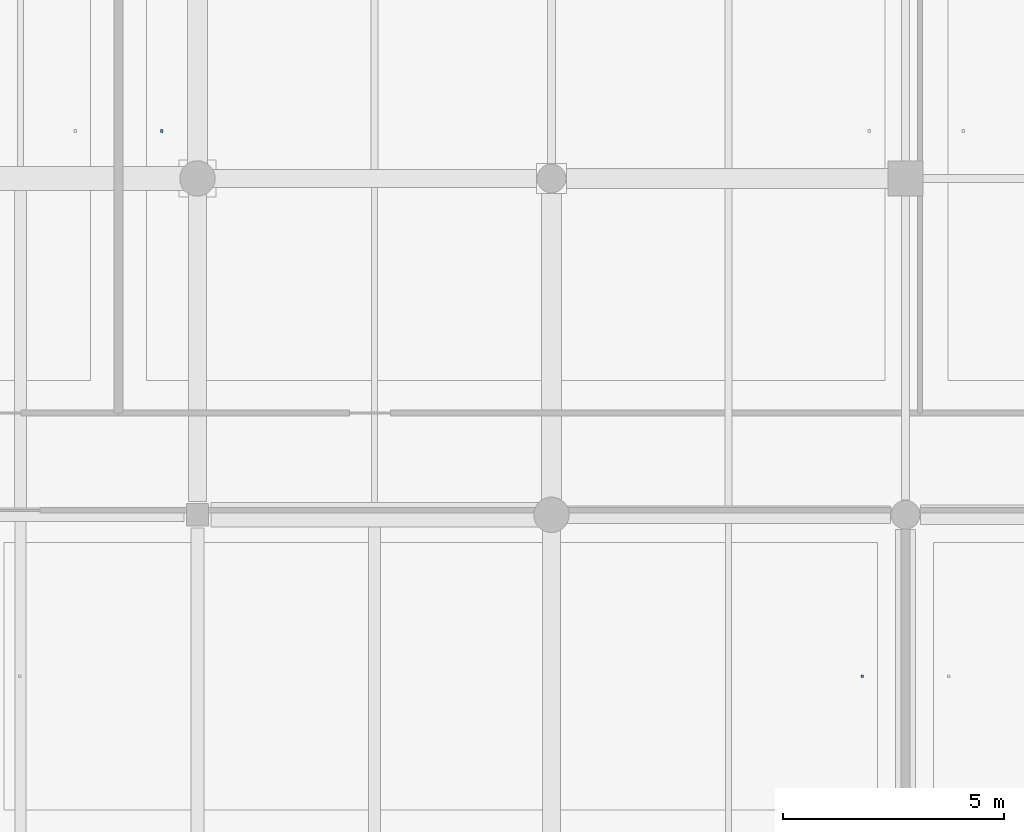
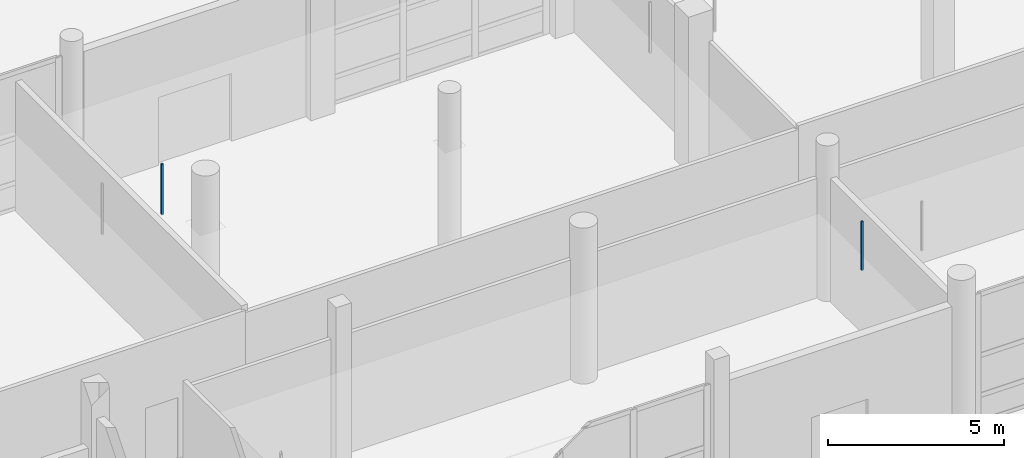
# One storey, part 82 of 126: 2 discrete accessories.
"""IFC4 building model written with IfcOpenShell, lengths in metres."""

from ifc_helpers import new_model, si_unit, direction, frame, origin, origin_2d, place, context, subcontext, project, spatial, rectangle, extrude, material, type_object, element, save


model = new_model("IFC4")

# Units and contexts
model_context = context("Model", 3, precision=1e-05, world=origin(), true_north=direction((0.0, 1.0)))
body_context = subcontext(model_context, "Body", "Model", "MODEL_VIEW")
ifc_project = project(units=[si_unit("LENGTHUNIT", "METRE"), si_unit("AREAUNIT", "SQUARE_METRE"), si_unit("VOLUMEUNIT", "CUBIC_METRE"), si_unit("PLANEANGLEUNIT", "RADIAN"), si_unit("MASSUNIT", "GRAM", prefix="KILO")], contexts=[model_context])

# Site, building, storey
site_placement = place(None, origin())
site = spatial("IfcSite", under=ifc_project, at=site_placement, CompositionType="ELEMENT")
building_placement = place(site_placement, origin())
building = spatial("IfcBuilding", under=site, at=building_placement, Name="Khelvaren Railside Concert Hall", CompositionType="ELEMENT")
storey_placement = place(building_placement, origin())
storey = spatial("IfcBuildingStorey", under=building, at=storey_placement, Name="L00", CompositionType="ELEMENT", Elevation=0.0)

# Discrete accessories
ifc_material = material(Name="Galvanised steel acoustic ceiling hanger rod", Category="steel")
discrete_accessory_type = type_object("IfcDiscreteAccessoryType", Name="BRK62", PredefinedType="BRACKET", material=ifc_material)
discrete_accessory_1_placement = place(storey_placement, frame((87.196044921875, 16.27490234375, 3.429931640625), z_axis=(0.0, 0.0, 1.0), x_axis=(1.0, 0.0, 0.0)))
element("IfcDiscreteAccessory", 1, at=discrete_accessory_1_placement, inside=storey, type_object=discrete_accessory_type, Name="Acoustic Ceiling Suspension Bracket 69-1", PredefinedType="BRACKET", context=body_context, shape_type="SweptSolid", body=[
    extrude(rectangle(XDim=0.06005859375, YDim=0.06005859375, at=origin_2d()), origin(), (0.0, 0.0, 1.0), 1.75),
])
discrete_accessory_2_placement = place(storey_placement, frame((103.02001953125, 3.949951171875, 3.429931640625), z_axis=(0.0, 0.0, 1.0), x_axis=(1.0, 0.0, 0.0)))
element("IfcDiscreteAccessory", 2, at=discrete_accessory_2_placement, inside=storey, type_object=discrete_accessory_type, Name="Acoustic Ceiling Suspension Bracket 72-2", PredefinedType="BRACKET", context=body_context, shape_type="SweptSolid", body=[
    extrude(rectangle(XDim=0.06005859375, YDim=0.06005859375, at=origin_2d()), origin(), (0.0, 0.0, 1.0), 1.68994140625),
])

save(model, "model.ifc")
